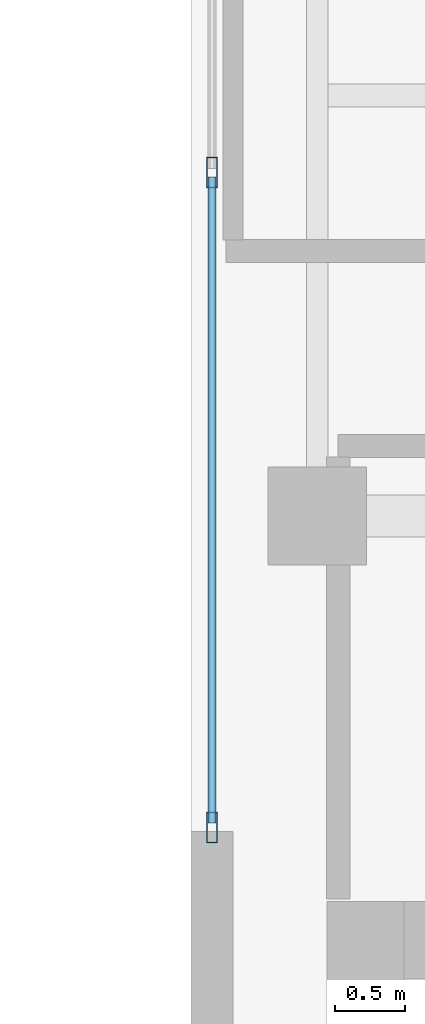
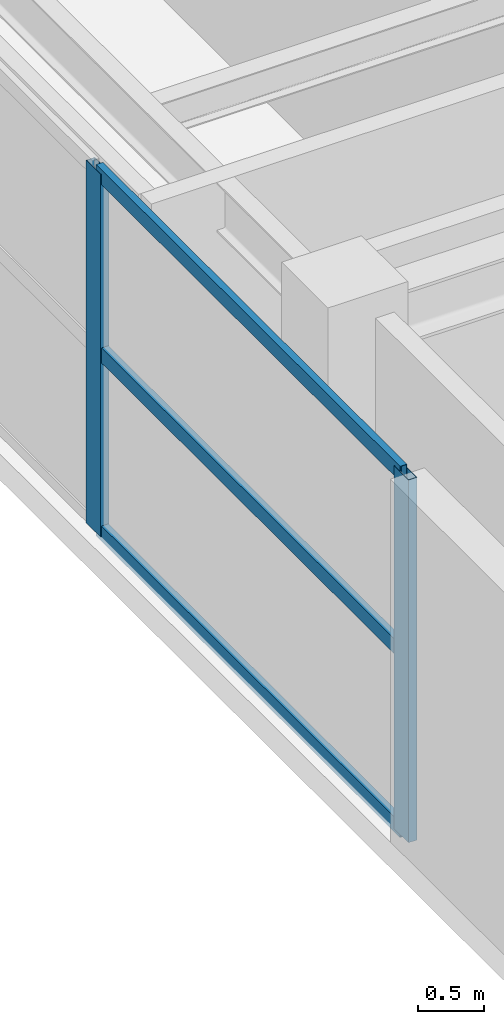
# One storey, part 10 of 22: 5 members, 1 element without a shape of its own.
"""IFC4 building model written with IfcOpenShell, lengths in metres."""

from ifc_helpers import new_model, si_unit, direction, frame, origin, origin_2d, place, context, subcontext, project, spatial, hollow_rectangle, extrude, source, transform, mapped, material, layer, layer_set, material_profile, profile_set, type_object, element, aggregate, save


model = new_model("IFC4")

# Units and contexts
model_context = context("Model", 3, precision=1e-05, world=origin(), true_north=direction((0.0, 1.0)))
body_context = subcontext(model_context, "Body", "Model", "MODEL_VIEW")
ifc_project = project(units=[si_unit("LENGTHUNIT", "METRE"), si_unit("AREAUNIT", "SQUARE_METRE"), si_unit("VOLUMEUNIT", "CUBIC_METRE"), si_unit("PLANEANGLEUNIT", "RADIAN"), si_unit("MASSUNIT", "GRAM", prefix="KILO")], contexts=[model_context])

# Site, building, storey
site_placement = place(None, origin())
site = spatial("IfcSite", under=ifc_project, at=site_placement, CompositionType="ELEMENT")
building_placement = place(site_placement, origin())
building = spatial("IfcBuilding", under=site, at=building_placement, Name="Khoralis Quay Care Tower", CompositionType="ELEMENT")
storey_placement = place(building_placement, frame((0.0, 0.0, 242.10009765625)))
storey = spatial("IfcBuildingStorey", under=building, at=storey_placement, Name="L63", CompositionType="ELEMENT", Elevation=242.10009765625)

# Curtain wall, members
ifc_material = material(Name="Pale anodised aluminium", Category="aluminium")
ifc_layer = layer(ifc_material, 0.18994140625)
ifc_layer_set = layer_set([ifc_layer], Name="Pale anodised aluminium")
curtain_wall_type = type_object("IfcCurtainWallType", Name="CW-SYS-PORTAL", PredefinedType="NOTDEFINED", material=ifc_layer_set)
curtain_wall_placement = place(storey_placement, origin())
curtain_wall = element("IfcCurtainWall", 1, at=curtain_wall_placement, inside=storey, type_object=curtain_wall_type, Name="L63 Unitised Curtain Wall CW-VP-L63-P2-N", PredefinedType="NOTDEFINED")
ifc_material_profile_1 = material_profile(ifc_material, hollow_rectangle(XDim=0.06005859375, YDim=0.139892578125, WallThickness=0.00390625, at=origin_2d()), Name="Pale anodised aluminium")
ifc_profile_set_1 = profile_set([ifc_material_profile_1], Name="Pale anodised aluminium")
member_type_1 = type_object("IfcMemberType", Name="CW-TRN-140", PredefinedType="USERDEFINED", material=ifc_profile_set_1)
shared_shape_1 = source(origin(), body_context, "Body", "SweptSolid", [
    extrude(hollow_rectangle(XDim=0.06005859375, YDim=0.139892578125, WallThickness=0.00390625, at=origin_2d()), origin(), (0.0, 0.0, 1.0), 4.60986328125),
])
member_1_placement = place(storey_placement, frame((30.14990234375, 27.81005859375, 0.02978515625), z_axis=(0.0, 1.0, 0.0), x_axis=(-1.0, 0.0, 0.0)))
member_1 = element("IfcMember", 2, at=member_1_placement, type_object=member_type_1, Name="CW4 transom 1.1", ObjectType="TRANSOM", PredefinedType="USERDEFINED", context=body_context, shape_type="MappedRepresentation", body=[
    mapped(shared_shape_1, transform((0.0, 0.0, 0.0), scale=1.0)),
])
member_2_placement = place(storey_placement, frame((30.14990234375, 27.81005859375, 1.679931640625), z_axis=(0.0, 1.0, 0.0), x_axis=(-1.0, 0.0, 0.0)))
member_2 = element("IfcMember", 3, at=member_2_placement, type_object=member_type_1, Name="CW4 transom 1.2", ObjectType="TRANSOM", PredefinedType="USERDEFINED", context=body_context, shape_type="MappedRepresentation", body=[
    mapped(shared_shape_1, transform((0.0, 0.0, 0.0), scale=1.0)),
])
member_3_placement = place(storey_placement, frame((30.14990234375, 27.81005859375, 3.329833984375), z_axis=(0.0, 1.0, 0.0), x_axis=(-1.0, 0.0, 0.0)))
member_3 = element("IfcMember", 4, at=member_3_placement, type_object=member_type_1, Name="CW4 transom 1.3", ObjectType="TRANSOM", PredefinedType="USERDEFINED", context=body_context, shape_type="MappedRepresentation", body=[
    mapped(shared_shape_1, transform((0.0, 0.0, 0.0), scale=1.0)),
])
ifc_material_profile_2 = material_profile(ifc_material, hollow_rectangle(XDim=0.074951171875, YDim=0.219970703125, WallThickness=0.00390625, at=origin_2d()), Name="Pale anodised aluminium")
ifc_profile_set_2 = profile_set([ifc_material_profile_2], Name="Pale anodised aluminium")
member_type_2 = type_object("IfcMemberType", Name="CW-MUL-220", PredefinedType="MULLION", material=ifc_profile_set_2)
shared_shape_2 = source(origin(), body_context, "Body", "SweptSolid", [
    extrude(hollow_rectangle(XDim=0.074951171875, YDim=0.219970703125, WallThickness=0.00390625, at=origin_2d()), origin(), (0.0, 0.0, 1.0), 3.35986328125),
])
member_4_placement = place(storey_placement, frame((30.14990234375, 27.780029296875, 0.0), z_axis=(0.0, 0.0, 1.0), x_axis=(-1.0, 0.0, 0.0)))
member_4 = element("IfcMember", 5, at=member_4_placement, type_object=member_type_2, Name="CW4 mullion 1", PredefinedType="MULLION", context=body_context, shape_type="MappedRepresentation", body=[
    mapped(shared_shape_2, transform((0.0, 0.0, 0.0), scale=1.0)),
])
member_5_placement = place(storey_placement, frame((30.14990234375, 32.449951171875, 0.0), z_axis=(0.0, 0.0, 1.0), x_axis=(-1.0, 0.0, 0.0)))
member_5 = element("IfcMember", 6, at=member_5_placement, type_object=member_type_2, Name="CW4 mullion 2", PredefinedType="MULLION", context=body_context, shape_type="MappedRepresentation", body=[
    mapped(shared_shape_2, transform((0.0, 0.0, 0.0), scale=1.0)),
])
aggregate(curtain_wall, [member_4, member_5, member_1, member_2, member_3])

save(model, "model.ifc")
